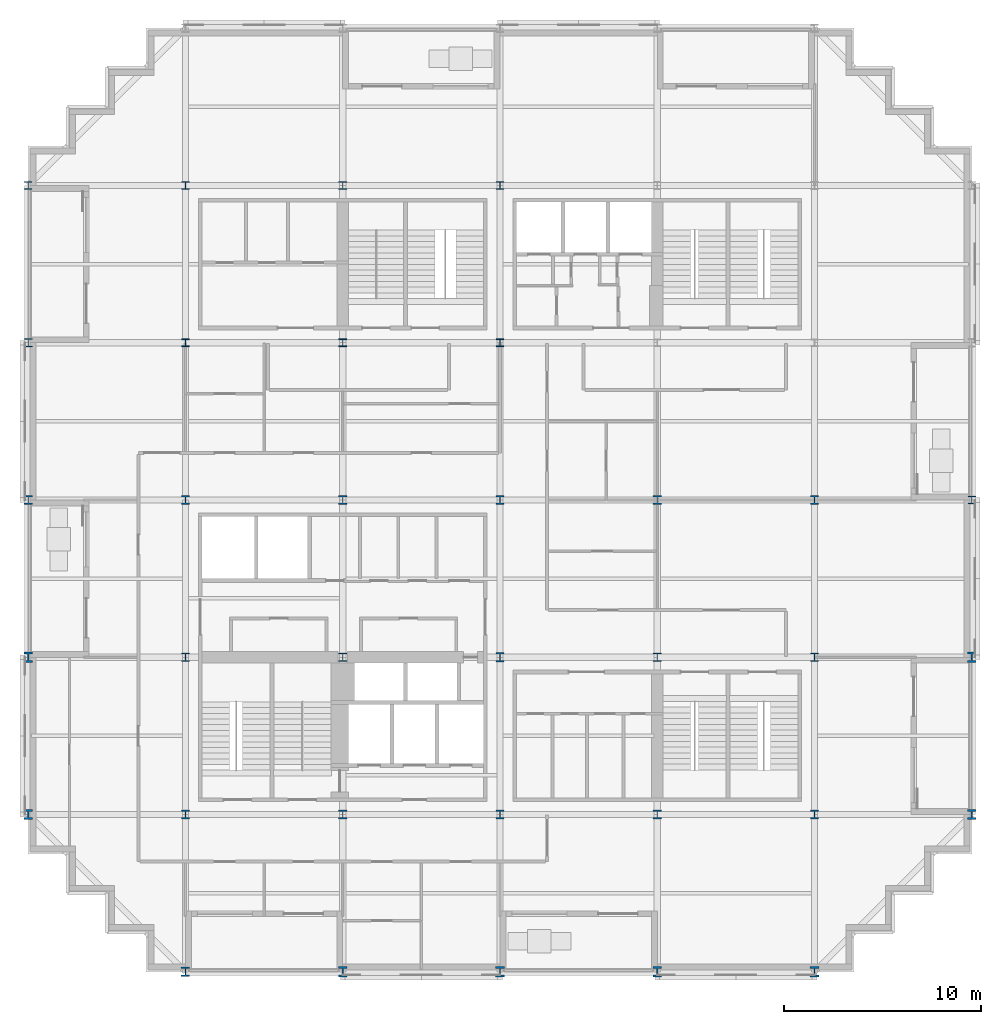
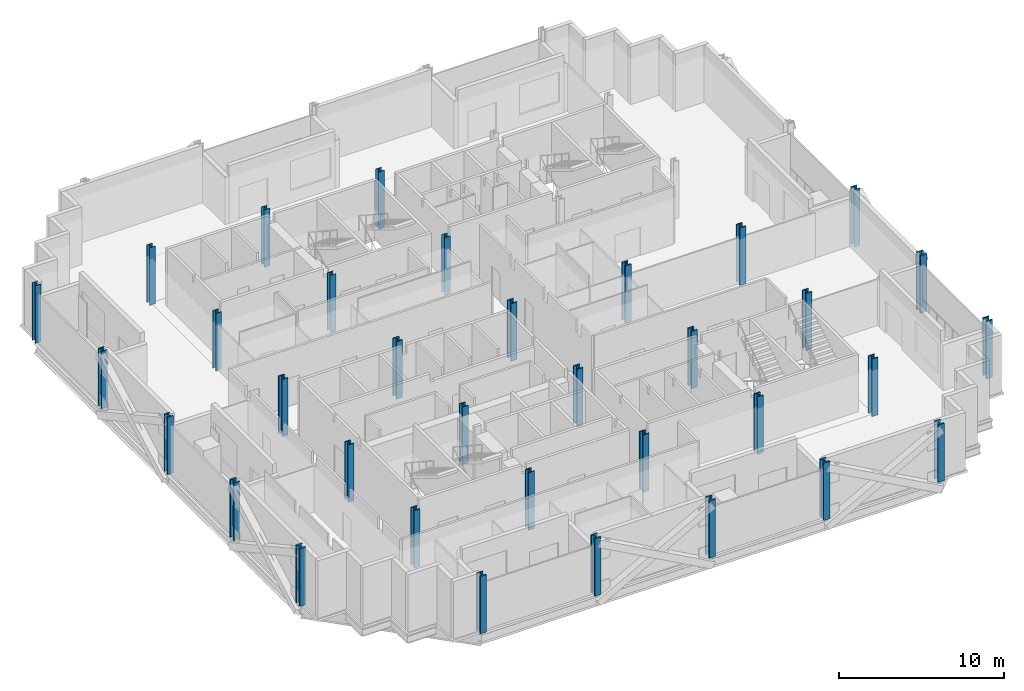
# One storey, part 1 of 14: 34 columns.
"""IFC4 building model written with IfcOpenShell, lengths in metres."""

from ifc_helpers import new_model, si_unit, direction, frame, origin, origin_2d, place, context, subcontext, project, spatial, i_section, extrude, material, material_profile, profile_set, type_object, element, save


model = new_model("IFC4")

# Units and contexts
model_context = context("Model", 3, precision=1e-05, world=origin(), true_north=direction((0.0, 1.0)))
body_context = subcontext(model_context, "Body", "Model", "MODEL_VIEW")
ifc_project = project(units=[si_unit("LENGTHUNIT", "METRE"), si_unit("AREAUNIT", "SQUARE_METRE"), si_unit("VOLUMEUNIT", "CUBIC_METRE"), si_unit("PLANEANGLEUNIT", "RADIAN"), si_unit("MASSUNIT", "GRAM", prefix="KILO")], contexts=[model_context])

# Site, building, storey
site_placement = place(None, origin())
site = spatial("IfcSite", under=ifc_project, at=site_placement, CompositionType="ELEMENT")
building_placement = place(site_placement, origin())
building = spatial("IfcBuilding", under=site, at=building_placement, Name="Immortelle Media Tower", CompositionType="ELEMENT")
storey_placement = place(building_placement, frame((0.0, 0.0, 39.199951171875)))
storey = spatial("IfcBuildingStorey", under=building, at=storey_placement, Name="L05", CompositionType="ELEMENT", Elevation=39.199951171875)

# Columns
ifc_material = material(Name="Steel ASTM A992 Gr 50", Category="steel")
ifc_material_profile_1 = material_profile(ifc_material, i_section(OverallWidth=0.39892578125, OverallDepth=0.385986328125, WebThickness=0.02099609375, FlangeThickness=0.032958984375, at=origin_2d()), Name="W14x176")
ifc_profile_set_1 = profile_set([ifc_material_profile_1], Name="Steel ASTM A992 Gr 50")
column_type_1 = type_object("IfcColumnType", Name="W14x176 column", PredefinedType="COLUMN", material=ifc_profile_set_1)
for number, where, z_axis, x_axis, name in (
    (1, (8.0, 32.0, 0.0), (0.0, 0.0, 1.0), (1.0, 0.0, 0.0), "Column 2/E"),
    (2, (8.0, 40.0, 0.0), (0.0, 0.0, 1.0), (1.0, 0.0, 0.0), "Column 2/F"),
    (3, (16.0, 32.0, 0.0), (0.0, 0.0, 1.0), (1.0, 0.0, 0.0), "Column 3/E"),
    (4, (16.0, 40.0, 0.0), (0.0, 0.0, 1.0), (1.0, 0.0, 0.0), "Column 3/F"),
):
    element("IfcColumn", number, at=place(storey_placement, frame(where, z_axis=z_axis, x_axis=x_axis)), inside=storey, type_object=column_type_1, Name=name, PredefinedType="COLUMN", context=body_context, shape_type="SweptSolid", body=[
        extrude(i_section(OverallWidth=0.39892578125, OverallDepth=0.385986328125, WebThickness=0.02099609375, FlangeThickness=0.032958984375, at=origin_2d()), origin(), (0.0, 0.0, 1.0), 4.25),
    ])
ifc_material_profile_2 = material_profile(ifc_material, i_section(OverallWidth=0.40087890625, OverallDepth=0.39892578125, WebThickness=0.02490234375, FlangeThickness=0.0400390625, at=origin_2d()), Name="W14x211")
ifc_profile_set_2 = profile_set([ifc_material_profile_2], Name="Steel ASTM A992 Gr 50")
column_type_2 = type_object("IfcColumnType", Name="W14x211 column", PredefinedType="COLUMN", material=ifc_profile_set_2)
for number, where, z_axis, x_axis, name in (
    (5, (24.0, 32.0, 0.0), (0.0, 0.0, 1.0), (1.0, 0.0, 0.0), "Column 4/E"),
    (6, (24.0, 40.0, 0.0), (0.0, 0.0, 1.0), (1.0, 0.0, 0.0), "Column 4/F"),
):
    element("IfcColumn", number, at=place(storey_placement, frame(where, z_axis=z_axis, x_axis=x_axis)), inside=storey, type_object=column_type_2, Name=name, PredefinedType="COLUMN", context=body_context, shape_type="SweptSolid", body=[
        extrude(i_section(OverallWidth=0.40087890625, OverallDepth=0.39892578125, WebThickness=0.02490234375, FlangeThickness=0.0400390625, at=origin_2d()), origin(), (0.0, 0.0, 1.0), 4.25),
    ])
ifc_material_profile_3 = material_profile(ifc_material, i_section(OverallWidth=0.406005859375, OverallDepth=0.4169921875, WebThickness=0.030029296875, FlangeThickness=0.048095703125, at=origin_2d()), Name="W14x257")
ifc_profile_set_3 = profile_set([ifc_material_profile_3], Name="Steel ASTM A992 Gr 50")
column_type_3 = type_object("IfcColumnType", Name="W14x257 column", PredefinedType="COLUMN", material=ifc_profile_set_3)
for number, where, z_axis, x_axis, name in (
    (7, (0.0, 40.0, 0.0), (0.0, 0.0, 1.0), (1.0, 0.0, 0.0), "Column 1/F"),
    (8, (48.0, 24.0, 0.0), (0.0, 0.0, 1.0), (1.0, 0.0, 0.0), "Column 7/D"),
):
    element("IfcColumn", number, at=place(storey_placement, frame(where, z_axis=z_axis, x_axis=x_axis)), inside=storey, type_object=column_type_3, Name=name, PredefinedType="COLUMN", context=body_context, shape_type="SweptSolid", body=[
        extrude(i_section(OverallWidth=0.406005859375, OverallDepth=0.4169921875, WebThickness=0.030029296875, FlangeThickness=0.048095703125, at=origin_2d()), origin(), (0.0, 0.0, 1.0), 4.25),
    ])
ifc_material_profile_4 = material_profile(ifc_material, i_section(OverallWidth=0.410888671875, OverallDepth=0.43408203125, WebThickness=0.035888671875, FlangeThickness=0.056884765625, at=origin_2d()), Name="W14x311")
ifc_profile_set_4 = profile_set([ifc_material_profile_4], Name="Steel ASTM A992 Gr 50")
column_type_4 = type_object("IfcColumnType", Name="W14x311 column", PredefinedType="COLUMN", material=ifc_profile_set_4)
for number, where, z_axis, x_axis, name in (
    (9, (0.0, 24.0, 0.0), (0.0, 0.0, 1.0), (1.0, 0.0, 0.0), "Column 1/D"),
    (10, (0.0, 32.0, 0.0), (0.0, 0.0, 1.0), (1.0, 0.0, 0.0), "Column 1/E"),
):
    element("IfcColumn", number, at=place(storey_placement, frame(where, z_axis=z_axis, x_axis=x_axis)), inside=storey, type_object=column_type_4, Name=name, PredefinedType="COLUMN", context=body_context, shape_type="SweptSolid", body=[
        extrude(i_section(OverallWidth=0.410888671875, OverallDepth=0.43408203125, WebThickness=0.035888671875, FlangeThickness=0.056884765625, at=origin_2d()), origin(), (0.0, 0.0, 1.0), 4.25),
    ])
ifc_material_profile_5 = material_profile(ifc_material, i_section(OverallWidth=0.4189453125, OverallDepth=0.455078125, WebThickness=0.0419921875, FlangeThickness=0.068115234375, at=origin_2d()), Name="W14x370")
ifc_profile_set_5 = profile_set([ifc_material_profile_5], Name="Steel ASTM A992 Gr 50")
column_type_5 = type_object("IfcColumnType", Name="W14x370 column", PredefinedType="COLUMN", material=ifc_profile_set_5)
for number, where, z_axis, x_axis, name in (
    (11, (8.0, 8.0, 0.0), (0.0, 0.0, 1.0), (1.0, 0.0, 0.0), "Column 2/B"),
    (12, (8.0, 16.0, 0.0), (0.0, 0.0, 1.0), (1.0, 0.0, 0.0), "Column 2/C"),
    (13, (16.0, 8.0, 0.0), (0.0, 0.0, 1.0), (1.0, 0.0, 0.0), "Column 3/B"),
    (14, (16.0, 16.0, 0.0), (0.0, 0.0, 1.0), (1.0, 0.0, 0.0), "Column 3/C"),
    (15, (32.0, 8.0, 0.0), (0.0, 0.0, 1.0), (1.0, 0.0, 0.0), "Column 5/B"),
    (16, (32.0, 16.0, 0.0), (0.0, 0.0, 1.0), (1.0, 0.0, 0.0), "Column 5/C"),
    (17, (40.0, 8.0, 0.0), (0.0, 0.0, 1.0), (1.0, 0.0, 0.0), "Column 6/B"),
    (18, (40.0, 16.0, 0.0), (0.0, 0.0, 1.0), (1.0, 0.0, 0.0), "Column 6/C"),
):
    element("IfcColumn", number, at=place(storey_placement, frame(where, z_axis=z_axis, x_axis=x_axis)), inside=storey, type_object=column_type_5, Name=name, PredefinedType="COLUMN", context=body_context, shape_type="SweptSolid", body=[
        extrude(i_section(OverallWidth=0.4189453125, OverallDepth=0.455078125, WebThickness=0.0419921875, FlangeThickness=0.068115234375, at=origin_2d()), origin(), (0.0, 0.0, 1.0), 4.25),
    ])
ifc_material_profile_6 = material_profile(ifc_material, i_section(OverallWidth=0.424072265625, OverallDepth=0.47509765625, WebThickness=0.048095703125, FlangeThickness=0.076904296875, at=origin_2d()), Name="W14x426")
ifc_profile_set_6 = profile_set([ifc_material_profile_6], Name="Steel ASTM A992 Gr 50")
column_type_6 = type_object("IfcColumnType", Name="W14x426 column", PredefinedType="COLUMN", material=ifc_profile_set_6)
for number, where, z_axis, x_axis, name in (
    (19, (8.0, 24.0, 0.0), (0.0, 0.0, 1.0), (1.0, 0.0, 0.0), "Column 2/D"),
    (20, (16.0, 24.0, 0.0), (0.0, 0.0, 1.0), (1.0, 0.0, 0.0), "Column 3/D"),
    (21, (24.0, 8.0, 0.0), (0.0, 0.0, 1.0), (1.0, 0.0, 0.0), "Column 4/B"),
    (22, (24.0, 16.0, 0.0), (0.0, 0.0, 1.0), (1.0, 0.0, 0.0), "Column 4/C"),
    (23, (24.0, 24.0, 0.0), (0.0, 0.0, 1.0), (1.0, 0.0, 0.0), "Column 4/D"),
    (24, (32.0, 24.0, 0.0), (0.0, 0.0, 1.0), (1.0, 0.0, 0.0), "Column 5/D"),
    (25, (40.0, 24.0, 0.0), (0.0, 0.0, 1.0), (1.0, 0.0, 0.0), "Column 6/D"),
):
    element("IfcColumn", number, at=place(storey_placement, frame(where, z_axis=z_axis, x_axis=x_axis)), inside=storey, type_object=column_type_6, Name=name, PredefinedType="COLUMN", context=body_context, shape_type="SweptSolid", body=[
        extrude(i_section(OverallWidth=0.424072265625, OverallDepth=0.47509765625, WebThickness=0.048095703125, FlangeThickness=0.076904296875, at=origin_2d()), origin(), (0.0, 0.0, 1.0), 4.25),
    ])
ifc_material_profile_7 = material_profile(ifc_material, i_section(OverallWidth=0.431884765625, OverallDepth=0.498046875, WebThickness=0.055908203125, FlangeThickness=0.089111328125, at=origin_2d()), Name="W14x500")
ifc_profile_set_7 = profile_set([ifc_material_profile_7], Name="Steel ASTM A992 Gr 50")
column_type_7 = type_object("IfcColumnType", Name="W14x500 column", PredefinedType="COLUMN", material=ifc_profile_set_7)
for number, where, z_axis, x_axis, name in (
    (26, (8.0, 0.0, 0.0), (0.0, 0.0, 1.0), (1.0, 0.0, 0.0), "Column 2/A"),
    (27, (48.0, 8.0, 0.0), (0.0, 0.0, 1.0), (1.0, 0.0, 0.0), "Column 7/B"),
):
    element("IfcColumn", number, at=place(storey_placement, frame(where, z_axis=z_axis, x_axis=x_axis)), inside=storey, type_object=column_type_7, Name=name, PredefinedType="COLUMN", context=body_context, shape_type="SweptSolid", body=[
        extrude(i_section(OverallWidth=0.431884765625, OverallDepth=0.498046875, WebThickness=0.055908203125, FlangeThickness=0.089111328125, at=origin_2d()), origin(), (0.0, 0.0, 1.0), 4.25),
    ])
ifc_material_profile_8 = material_profile(ifc_material, i_section(OverallWidth=0.44189453125, OverallDepth=0.531005859375, WebThickness=0.06591796875, FlangeThickness=0.10595703125, at=origin_2d()), Name="W14x605")
ifc_profile_set_8 = profile_set([ifc_material_profile_8], Name="Steel ASTM A992 Gr 50")
column_type_8 = type_object("IfcColumnType", Name="W14x605 column", PredefinedType="COLUMN", material=ifc_profile_set_8)
for number, where, z_axis, x_axis, name in (
    (28, (0.0, 8.0, 0.0), (0.0, 0.0, 1.0), (1.0, 0.0, 0.0), "Column 1/B"),
    (29, (0.0, 16.0, 0.0), (0.0, 0.0, 1.0), (1.0, 0.0, 0.0), "Column 1/C"),
    (30, (16.0, 0.0, 0.0), (0.0, 0.0, 1.0), (1.0, 0.0, 0.0), "Column 3/A"),
    (31, (24.0, 0.0, 0.0), (0.0, 0.0, 1.0), (1.0, 0.0, 0.0), "Column 4/A"),
    (32, (32.0, 0.0, 0.0), (0.0, 0.0, 1.0), (1.0, 0.0, 0.0), "Column 5/A"),
    (33, (40.0, 0.0, 0.0), (0.0, 0.0, 1.0), (1.0, 0.0, 0.0), "Column 6/A"),
    (34, (48.0, 16.0, 0.0), (0.0, 0.0, 1.0), (1.0, 0.0, 0.0), "Column 7/C"),
):
    element("IfcColumn", number, at=place(storey_placement, frame(where, z_axis=z_axis, x_axis=x_axis)), inside=storey, type_object=column_type_8, Name=name, PredefinedType="COLUMN", context=body_context, shape_type="SweptSolid", body=[
        extrude(i_section(OverallWidth=0.44189453125, OverallDepth=0.531005859375, WebThickness=0.06591796875, FlangeThickness=0.10595703125, at=origin_2d()), origin(), (0.0, 0.0, 1.0), 4.25),
    ])

save(model, "model.ifc")
